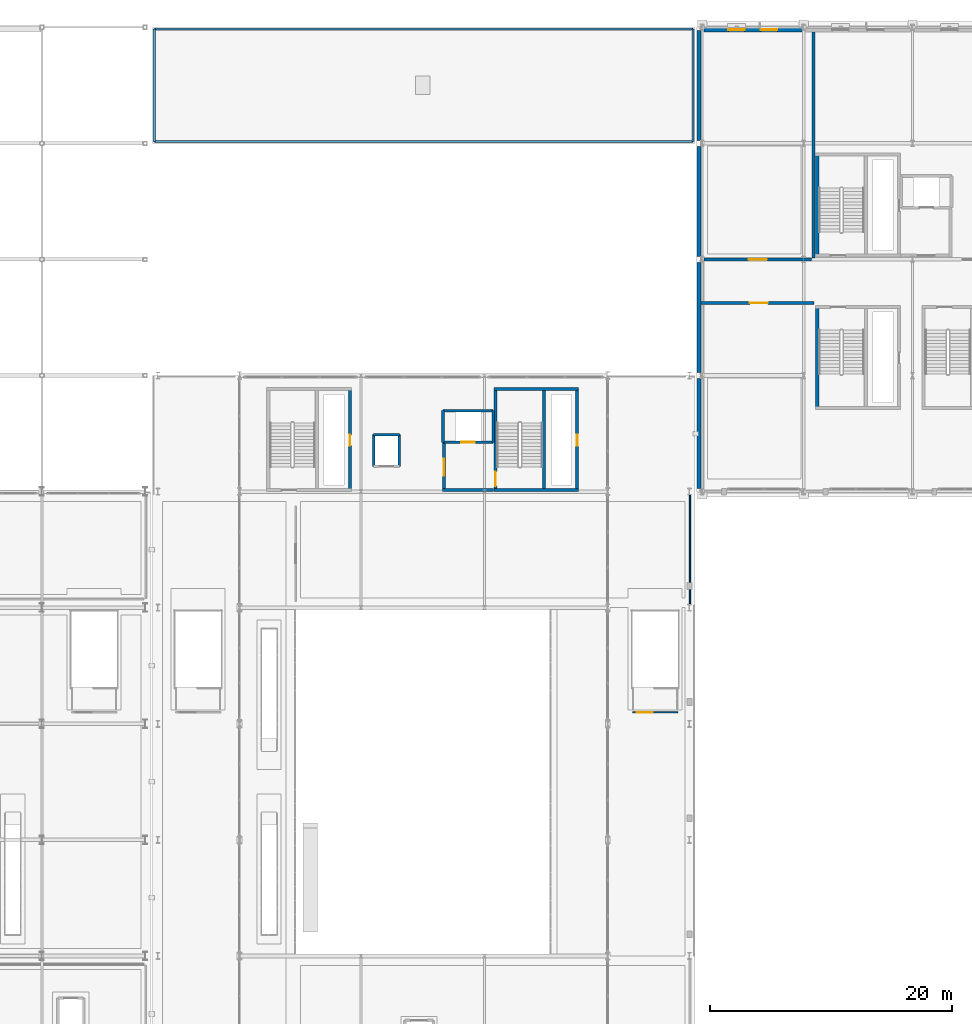
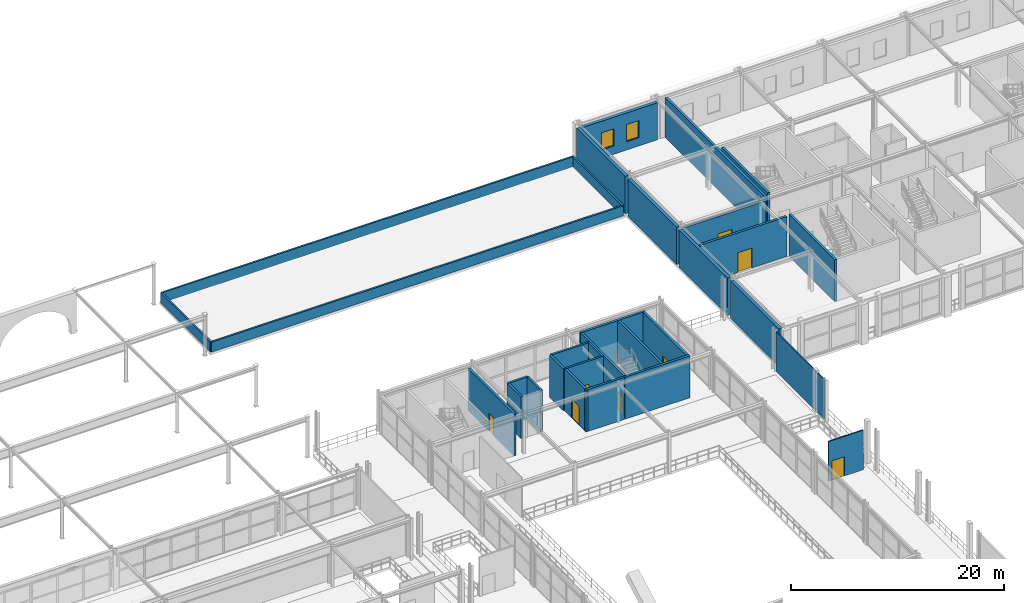
# One storey, part 77 of 125: 31 walls, 8 doors, 2 windows, 10 openings.
"""IFC4 building model written with IfcOpenShell, lengths in metres."""

from ifc_helpers import new_model, si_unit, direction, frame, frame_2d, origin, place, context, subcontext, project, spatial, rectangle, extrude, material, layer, layer_set, type_object, element, fill, save


model = new_model("IFC4")

# Units and contexts
model_context = context("Model", 3, precision=1e-05, world=origin(), true_north=direction((0.0, 1.0)))
body_context = subcontext(model_context, "Body", "Model", "MODEL_VIEW")
ifc_project = project(units=[si_unit("LENGTHUNIT", "METRE"), si_unit("AREAUNIT", "SQUARE_METRE"), si_unit("VOLUMEUNIT", "CUBIC_METRE"), si_unit("PLANEANGLEUNIT", "RADIAN"), si_unit("MASSUNIT", "GRAM", prefix="KILO")], contexts=[model_context])

# Site, building, storey
site_placement = place(None, origin())
site = spatial("IfcSite", under=ifc_project, at=site_placement, CompositionType="ELEMENT")
building_placement = place(site_placement, origin())
building = spatial("IfcBuilding", under=site, at=building_placement, Name="Myrtia Square Station", CompositionType="ELEMENT")
storey_placement = place(building_placement, frame((0.0, 0.0, 6.0)))
storey = spatial("IfcBuildingStorey", under=building, at=storey_placement, Name="L01", CompositionType="ELEMENT", Elevation=6.0)

# Wall, opening, door
ifc_material_1 = material(Name="Concrete C35/45", Category="concrete")
ifc_layer_1 = layer(ifc_material_1, 0.25, Name="Concrete C35/45")
ifc_layer_set_1 = layer_set([ifc_layer_1], Name="Concrete C35/45")
wall_type_1 = type_object("IfcWallType", Name="WL-CORE-250", PredefinedType="SHEAR", material=ifc_layer_set_1)
wall_1_placement = place(storey_placement, frame((88.47509765625, 86.39990234375, 0.0), z_axis=(0.0, 0.0, 1.0), x_axis=(0.0, 1.0, 0.0)))
wall_1 = element("IfcWall", 1, at=wall_1_placement, inside=storey, type_object=wall_type_1, Name="Core K2 shear wall L01 E", PredefinedType="SHEAR", context=body_context, shape_type="SweptSolid", body=[
    extrude(rectangle(XDim=8.60009765625, YDim=0.25, at=frame_2d((4.300048828125, 0.0))), origin(), (0.0, 0.0, 1.0), 4.800048828125),
])
opening_1_placement = place(wall_1_placement, frame((3.800048828125, 0.0, 0.0)))
opening_1 = element("IfcOpeningElement", 2, at=opening_1_placement, cuts=wall_1, Name="Opening RD-016", PredefinedType="OPENING", context=body_context, shape_type="SweptSolid", body=[
    extrude(rectangle(XDim=0.89990234375, YDim=2.050048828125, at=frame_2d((0.449951171875, 1.02490234375))), frame((0.0, 0.139892578125, 0.0), z_axis=(0.0, -1.0, 0.0), x_axis=(1.0, 0.0, 0.0)), (0.0, 0.0, 1.0), 0.280029296875),
])
ifc_material_2 = material(Name="Dark bronze anodised aluminium", Category="aluminium")
door_type_1 = type_object("IfcDoorType", Name="DR-RISER-900x2050", OperationType="NOTDEFINED", PredefinedType="DOOR", material=ifc_material_2)
door_1_placement = place(opening_1_placement, origin())
door_1 = element("IfcDoor", 3, at=door_1_placement, inside=storey, type_object=door_type_1, Name="Riser cupboard access door K2 L01", OperationType="SINGLE_SWING_RIGHT", OverallHeight=2.050048828125, OverallWidth=0.89990234375, PredefinedType="DOOR", context=body_context, shape_type="SweptSolid", body=[
    extrude(rectangle(XDim=0.89990234375, YDim=2.050048828125, at=frame_2d((0.449951171875, 1.02490234375))), frame((0.0, 0.02490234375, 0.0), z_axis=(0.0, -1.0, 0.0), x_axis=(1.0, 0.0, 0.0)), (0.0, 0.0, 1.0), 0.050048828125),
])
fill(opening_1, door_1)

# Walls
for number, where, z_axis, x_axis, name in (
    (4, (100.39990234375, 86.52490234375, 0.0), (0.0, 0.0, 1.0), (1.0, 0.0, 0.0), "Core K4 shear wall L01 S"),
    (5, (100.39990234375, 94.875, 0.0), (0.0, 0.0, 1.0), (1.0, 0.0, 0.0), "Core K4 shear wall L01 N"),
):
    element("IfcWall", number, at=place(storey_placement, frame(where, z_axis=z_axis, x_axis=x_axis)), inside=storey, type_object=wall_type_1, Name=name, PredefinedType="SHEAR", context=body_context, shape_type="SweptSolid", body=[
        extrude(rectangle(XDim=7.0, YDim=0.25, at=frame_2d((3.5, 0.0))), origin(), (0.0, 0.0, 1.0), 4.800048828125),
    ])

# Wall, opening, door
wall_2_placement = place(storey_placement, frame((100.52490234375, 86.39990234375, 0.0), z_axis=(0.0, 0.0, 1.0), x_axis=(0.0, 1.0, 0.0)))
wall_2 = element("IfcWall", 6, at=wall_2_placement, inside=storey, type_object=wall_type_1, Name="Core K4 shear wall L01 W", PredefinedType="SHEAR", context=body_context, shape_type="SweptSolid", body=[
    extrude(rectangle(XDim=8.60009765625, YDim=0.25, at=frame_2d((4.300048828125, 0.0))), origin(), (0.0, 0.0, 1.0), 4.800048828125),
])
opening_2_placement = place(wall_2_placement, frame((0.449951171875, 0.0, 0.0)))
opening_2 = element("IfcOpeningElement", 7, at=opening_2_placement, cuts=wall_2, Name="Opening SD-042", PredefinedType="OPENING", context=body_context, shape_type="SweptSolid", body=[
    extrude(rectangle(XDim=1.199951171875, YDim=2.14990234375, at=frame_2d((0.60009765625, 1.074951171875))), frame((0.0, 0.139892578125, 0.0), z_axis=(0.0, -1.0, 0.0), x_axis=(1.0, 0.0, 0.0)), (0.0, 0.0, 1.0), 0.280029296875),
])
door_type_2 = type_object("IfcDoorType", Name="DR-STAIR-1200x2150", OperationType="NOTDEFINED", PredefinedType="DOOR", material=ifc_material_2)
door_2_placement = place(opening_2_placement, frame((1.199951171875, 0.0, 0.0), z_axis=(0.0, 0.0, 1.0), x_axis=(-1.0, 0.0, 0.0)))
door_2 = element("IfcDoor", 8, at=door_2_placement, inside=storey, type_object=door_type_2, Name="Protected stair fire door K4 L01", OperationType="SINGLE_SWING_RIGHT", OverallHeight=2.14990234375, OverallWidth=1.199951171875, PredefinedType="DOOR", context=body_context, shape_type="SweptSolid", body=[
    extrude(rectangle(XDim=1.199951171875, YDim=2.14990234375, at=frame_2d((0.60009765625, 1.074951171875))), frame((0.0, 0.02490234375, 0.0), z_axis=(0.0, -1.0, 0.0), x_axis=(1.0, 0.0, 0.0)), (0.0, 0.0, 1.0), 0.050048828125),
])
fill(opening_2, door_2)

wall_3_placement = place(storey_placement, frame((107.27490234375, 86.39990234375, 0.0), z_axis=(0.0, 0.0, 1.0), x_axis=(0.0, 1.0, 0.0)))
wall_3 = element("IfcWall", 9, at=wall_3_placement, inside=storey, type_object=wall_type_1, Name="Core K4 shear wall L01 E", PredefinedType="SHEAR", context=body_context, shape_type="SweptSolid", body=[
    extrude(rectangle(XDim=8.60009765625, YDim=0.25, at=frame_2d((4.300048828125, 0.0))), origin(), (0.0, 0.0, 1.0), 4.800048828125),
])
opening_3_placement = place(wall_3_placement, frame((3.800048828125, 0.0, 0.0)))
opening_3 = element("IfcOpeningElement", 10, at=opening_3_placement, cuts=wall_3, Name="Opening RD-043", PredefinedType="OPENING", context=body_context, shape_type="SweptSolid", body=[
    extrude(rectangle(XDim=0.89990234375, YDim=2.050048828125, at=frame_2d((0.449951171875, 1.02490234375))), frame((0.0, 0.139892578125, 0.0), z_axis=(0.0, -1.0, 0.0), x_axis=(1.0, 0.0, 0.0)), (0.0, 0.0, 1.0), 0.280029296875),
])
door_3_placement = place(opening_3_placement, origin())
door_3 = element("IfcDoor", 11, at=door_3_placement, inside=storey, type_object=door_type_1, Name="Riser cupboard access door K4 L01", OperationType="SINGLE_SWING_LEFT", OverallHeight=2.050048828125, OverallWidth=0.89990234375, PredefinedType="DOOR", context=body_context, shape_type="SweptSolid", body=[
    extrude(rectangle(XDim=0.89990234375, YDim=2.050048828125, at=frame_2d((0.449951171875, 1.02490234375))), frame((0.0, 0.02490234375, 0.0), z_axis=(0.0, -1.0, 0.0), x_axis=(1.0, 0.0, 0.0)), (0.0, 0.0, 1.0), 0.050048828125),
])
fill(opening_3, door_3)

# Walls
wall_4_placement = place(storey_placement, frame((104.5400390625, 86.60009765625, 0.0), z_axis=(0.0, 0.0, 1.0), x_axis=(0.0, 1.0, 0.0)))
element("IfcWall", 12, at=wall_4_placement, inside=storey, type_object=wall_type_1, Name="Core K4 shear wall L01 D", PredefinedType="SHEAR", context=body_context, shape_type="SweptSolid", body=[
    extrude(rectangle(XDim=8.199951171875, YDim=0.25, at=frame_2d((4.10009765625, 0.0))), origin(), (0.0, 0.0, 1.0), 4.800048828125),
])
wall_5_placement = place(storey_placement, frame((127.125, 105.800048828125, 0.0), z_axis=(0.0, 0.0, 1.0), x_axis=(0.0, 1.0, 0.0)))
element("IfcWall", 13, at=wall_5_placement, inside=storey, type_object=wall_type_1, Name="Core K7 shear wall L01 W", PredefinedType="SHEAR", context=body_context, shape_type="SweptSolid", body=[
    extrude(rectangle(XDim=8.599853515625, YDim=0.25, at=frame_2d((4.2998046875, 0.0))), origin(), (0.0, 0.0, 1.0), 4.800048828125),
])
wall_6_placement = place(storey_placement, frame((127.125, 93.199951171875, 0.0), z_axis=(0.0, 0.0, 1.0), x_axis=(0.0, 1.0, 0.0)))
element("IfcWall", 14, at=wall_6_placement, inside=storey, type_object=wall_type_1, Name="Core K12 shear wall L01 W", PredefinedType="SHEAR", context=body_context, shape_type="SweptSolid", body=[
    extrude(rectangle(XDim=8.60009765625, YDim=0.25, at=frame_2d((4.300048828125, 0.0))), origin(), (0.0, 0.0, 1.0), 4.800048828125),
])
ifc_material_3 = material(Name="Cream lime stucco on clay brick masonry", Category="masonry")
ifc_layer_2 = layer(ifc_material_3, 0.340087890625, Name="Cream lime stucco on clay brick masonry")
ifc_layer_set_2 = layer_set([ifc_layer_2], Name="Cream lime stucco on clay brick masonry")
wall_type_2 = type_object("IfcWallType", Name="WL-EXT-STUCCO-340", PredefinedType="SOLIDWALL", material=ifc_layer_set_2)
for number, where, z_axis, x_axis, name in (
    (15, (117.35009765625, 86.655029296875, 0.0), (0.0, 0.0, 1.0), (0.0, 1.0, 0.0), "Exterior envelope wall EW-L01-0136"),
    (16, (117.35009765625, 96.2548828125, 0.0), (0.0, 0.0, 1.0), (0.0, 1.0, 0.0), "Exterior envelope wall EW-L01-0137"),
    (17, (117.35009765625, 105.85498046875, 0.0), (0.0, 0.0, 1.0), (0.0, 1.0, 0.0), "Exterior envelope wall EW-L01-0138"),
):
    element("IfcWall", number, at=place(storey_placement, frame(where, z_axis=z_axis, x_axis=x_axis)), inside=storey, type_object=wall_type_2, Name=name, PredefinedType="SOLIDWALL", context=body_context, shape_type="SweptSolid", body=[
        extrude(rectangle(XDim=9.090087890625, YDim=0.340087890625, at=frame_2d((4.544921875, 0.0))), origin(), (0.0, 0.0, 1.0), 4.280029296875),
    ])
wall_7_placement = place(storey_placement, frame((117.35009765625, 115.455078125, 0.0), z_axis=(0.0, 0.0, 1.0), x_axis=(0.0, 1.0, 0.0)))
element("IfcWall", 18, at=wall_7_placement, inside=storey, type_object=wall_type_2, Name="Exterior envelope wall EW-L01-0139", PredefinedType="SOLIDWALL", context=body_context, shape_type="SweptSolid", body=[
    extrude(rectangle(XDim=9.08984375, YDim=0.340087890625, at=frame_2d((4.544921875, 0.0))), origin(), (0.0, 0.0, 1.0), 4.280029296875),
])

# Wall, openings, windows
ifc_layer_3 = layer(ifc_material_3, 0.360107421875, Name="Cream lime stucco on clay brick masonry")
ifc_layer_set_3 = layer_set([ifc_layer_3], Name="Cream lime stucco on clay brick masonry")
wall_type_3 = type_object("IfcWallType", Name="WL-EXT-STUCCO-360", PredefinedType="SOLIDWALL", material=ifc_layer_set_3)
wall_8_placement = place(storey_placement, frame((117.7548828125, 124.60009765625, 0.0), z_axis=(0.0, 0.0, 1.0), x_axis=(1.0, 0.0, 0.0)))
wall_8 = element("IfcWall", 19, at=wall_8_placement, inside=storey, type_object=wall_type_3, Name="Exterior envelope wall EW-L01-0108", PredefinedType="SOLIDWALL", context=body_context, shape_type="SweptSolid", body=[
    extrude(rectangle(XDim=8.090087890625, YDim=0.360107421875, at=frame_2d((4.044921875, 0.0))), origin(), (0.0, 0.0, 1.0), 4.22998046875),
])
opening_4_placement = place(wall_8_placement, frame((2.02197265625, 0.0, 0.949951171875)))
opening_4 = element("IfcOpeningElement", 20, at=opening_4_placement, cuts=wall_8, Name="Opening WN-109", PredefinedType="OPENING", context=body_context, shape_type="SweptSolid", body=[
    extrude(rectangle(XDim=1.35009765625, YDim=1.949951171875, at=frame_2d((0.675048828125, 0.97509765625))), frame((0.0, 0.195068359375, 0.0), z_axis=(0.0, -1.0, 0.0), x_axis=(1.0, 0.0, 0.0)), (0.0, 0.0, 1.0), 0.39013671875),
])
opening_5_placement = place(wall_8_placement, frame((4.718017578125, 0.0, 0.949951171875)))
opening_5 = element("IfcOpeningElement", 21, at=opening_5_placement, cuts=wall_8, Name="Opening WN-110", PredefinedType="OPENING", context=body_context, shape_type="SweptSolid", body=[
    extrude(rectangle(XDim=1.35009765625, YDim=1.949951171875, at=frame_2d((0.675048828125, 0.97509765625))), frame((0.0, 0.195068359375, 0.0), z_axis=(0.0, -1.0, 0.0), x_axis=(1.0, 0.0, 0.0)), (0.0, 0.0, 1.0), 0.39013671875),
])
ifc_material_4 = material(Name="Tinted low-E solar control glass", Category="glass")
window_type = type_object("IfcWindowType", Name="WN-OPS-1350x1950", PartitioningType="SINGLE_PANEL", PredefinedType="WINDOW", material=ifc_material_4)
window_1_placement = place(opening_4_placement, origin())
window_1 = element("IfcWindow", 22, at=window_1_placement, inside=storey, type_object=window_type, Name="Window WN-109", OverallHeight=1.949951171875, OverallWidth=1.35009765625, PartitioningType="SINGLE_PANEL", PredefinedType="WINDOW", context=body_context, shape_type="SweptSolid", body=[
    extrude(rectangle(XDim=1.35009765625, YDim=1.949951171875, at=frame_2d((0.675048828125, 0.97509765625))), frame((0.0, 0.030029296875, 0.0), z_axis=(0.0, -1.0, 0.0), x_axis=(1.0, 0.0, 0.0)), (0.0, 0.0, 1.0), 0.06005859375),
])
fill(opening_4, window_1)
window_2_placement = place(opening_5_placement, origin())
window_2 = element("IfcWindow", 23, at=window_2_placement, inside=storey, type_object=window_type, Name="Window WN-110", OverallHeight=1.949951171875, OverallWidth=1.35009765625, PartitioningType="SINGLE_PANEL", PredefinedType="WINDOW", context=body_context, shape_type="SweptSolid", body=[
    extrude(rectangle(XDim=1.35009765625, YDim=1.949951171875, at=frame_2d((0.675048828125, 0.97509765625))), frame((0.0, 0.030029296875, 0.0), z_axis=(0.0, -1.0, 0.0), x_axis=(1.0, 0.0, 0.0)), (0.0, 0.0, 1.0), 0.06005859375),
])
fill(opening_5, window_2)

# Wall, opening, door
ifc_layer_4 = layer(ifc_material_1, 0.239990234375, Name="Concrete C35/45")
ifc_layer_set_4 = layer_set([ifc_layer_4], Name="Concrete C35/45")
wall_type_4 = type_object("IfcWallType", Name="WL-FFL-240", PredefinedType="SHEAR", material=ifc_layer_set_4)
wall_9_placement = place(storey_placement, frame((96.27001953125, 86.39990234375, 0.0), z_axis=(0.0, 0.0, 1.0), x_axis=(0.0, 1.0, 0.0)))
wall_9 = element("IfcWall", 24, at=wall_9_placement, inside=storey, type_object=wall_type_4, Name="Firefighting lift lobby EI 120 wall K4 L01 W", PredefinedType="SHEAR", context=body_context, shape_type="SweptSolid", body=[
    extrude(rectangle(XDim=4.0, YDim=0.239990234375, at=frame_2d((2.0, 0.0))), origin(), (0.0, 0.0, 1.0), 4.800048828125),
])
opening_6_placement = place(wall_9_placement, frame((1.300048828125, 0.0, 0.0)))
opening_6 = element("IfcOpeningElement", 25, at=opening_6_placement, cuts=wall_9, Name="Opening FD-044", PredefinedType="OPENING", context=body_context, shape_type="SweptSolid", body=[
    extrude(rectangle(XDim=1.39990234375, YDim=2.199951171875, at=frame_2d((0.699951171875, 1.10009765625))), frame((0.0, 0.135009765625, 0.0), z_axis=(0.0, -1.0, 0.0), x_axis=(1.0, 0.0, 0.0)), (0.0, 0.0, 1.0), 0.27001953125),
])
door_type_3 = type_object("IfcDoorType", Name="DR-FFL-1400x2200", OperationType="NOTDEFINED", PredefinedType="DOOR", material=ifc_material_2)
door_4_placement = place(opening_6_placement, origin())
door_4 = element("IfcDoor", 26, at=door_4_placement, inside=storey, type_object=door_type_3, Name="Firefighting lobby fire door K4 L01", OperationType="SINGLE_SWING_RIGHT", OverallHeight=2.199951171875, OverallWidth=1.39990234375, PredefinedType="DOOR", context=body_context, shape_type="SweptSolid", body=[
    extrude(rectangle(XDim=1.39990234375, YDim=2.199951171875, at=frame_2d((0.699951171875, 1.10009765625))), frame((0.0, 0.02490234375, 0.0), z_axis=(0.0, -1.0, 0.0), x_axis=(1.0, 0.0, 0.0)), (0.0, 0.0, 1.0), 0.050048828125),
])
fill(opening_6, door_4)

# Walls
wall_10_placement = place(storey_placement, frame((96.14990234375, 86.52001953125, 0.0), z_axis=(0.0, 0.0, 1.0), x_axis=(1.0, 0.0, 0.0)))
element("IfcWall", 27, at=wall_10_placement, inside=storey, type_object=wall_type_4, Name="Firefighting lift lobby EI 120 wall K4 L01 S", PredefinedType="SHEAR", context=body_context, shape_type="SweptSolid", body=[
    extrude(rectangle(XDim=4.2001953125, YDim=0.239990234375, at=frame_2d((2.10009765625, 0.0))), origin(), (0.0, 0.0, 1.0), 4.800048828125),
])
ifc_layer_5 = layer(ifc_material_1, 0.219970703125, Name="Concrete C35/45")
ifc_layer_set_5 = layer_set([ifc_layer_5], Name="Concrete C35/45")
wall_type_5 = type_object("IfcWallType", Name="WL-LIFT-220", PredefinedType="SHEAR", material=ifc_layer_set_5)
wall_11_placement = place(storey_placement, frame((90.43994140625, 91.110107421875, 0.0), z_axis=(0.0, 0.0, 1.0), x_axis=(1.0, 0.0, 0.0)))
element("IfcWall", 28, at=wall_11_placement, inside=storey, type_object=wall_type_5, Name="Lift shaft wall PL-06 L01 +Y", PredefinedType="SHEAR", context=body_context, shape_type="SweptSolid", body=[
    extrude(rectangle(XDim=2.1201171875, YDim=0.219970703125, at=frame_2d((1.06005859375, 0.0))), origin(), (0.0, 0.0, 1.0), 4.800048828125),
])
for number, where, z_axis, x_axis, name in (
    (29, (90.43994140625, 88.489990234375, 0.0), (0.0, 0.0, 1.0), (0.0, 1.0, 0.0), "Lift shaft wall PL-06 L01 -X"),
    (30, (92.56005859375, 88.489990234375, 0.0), (0.0, 0.0, 1.0), (0.0, 1.0, 0.0), "Lift shaft wall PL-06 L01 +X"),
):
    element("IfcWall", number, at=place(storey_placement, frame(where, z_axis=z_axis, x_axis=x_axis)), inside=storey, type_object=wall_type_5, Name=name, PredefinedType="SHEAR", context=body_context, shape_type="SweptSolid", body=[
        extrude(rectangle(XDim=2.6201171875, YDim=0.219970703125, at=frame_2d((1.31005859375, 0.0))), origin(), (0.0, 0.0, 1.0), 4.800048828125),
    ])

# Wall, opening, door
wall_12_placement = place(storey_placement, frame((96.169921875, 90.47998046875, 0.0), z_axis=(0.0, 0.0, 1.0), x_axis=(1.0, 0.0, 0.0)))
wall_12 = element("IfcWall", 31, at=wall_12_placement, inside=storey, type_object=wall_type_5, Name="Lift shaft wall FFL-02 L01 -Y", PredefinedType="SHEAR", context=body_context, shape_type="SweptSolid", body=[
    extrude(rectangle(XDim=4.16015625, YDim=0.219970703125, at=frame_2d((2.080078125, 0.0))), origin(), (0.0, 0.0, 1.0), 4.800048828125),
])
opening_7_placement = place(wall_12_placement, frame((1.530029296875, 0.0, 0.0)))
opening_7 = element("IfcOpeningElement", 32, at=opening_7_placement, cuts=wall_12, Name="Opening LD-FFL-02", PredefinedType="OPENING", context=body_context, shape_type="SweptSolid", body=[
    extrude(rectangle(XDim=1.10009765625, YDim=2.14990234375, at=frame_2d((0.550048828125, 1.074951171875))), frame((0.0, 0.125, 0.0), z_axis=(0.0, -1.0, 0.0), x_axis=(1.0, 0.0, 0.0)), (0.0, 0.0, 1.0), 0.25),
])
door_type_4 = type_object("IfcDoorType", Name="DR-LIFT-1100x2150", OperationType="NOTDEFINED", PredefinedType="DOOR", material=ifc_material_2)
door_5_placement = place(opening_7_placement, origin())
door_5 = element("IfcDoor", 33, at=door_5_placement, inside=storey, type_object=door_type_4, Name="Lift landing door FFL-02 L01", OperationType="SLIDING_TO_LEFT", OverallHeight=2.14990234375, OverallWidth=1.10009765625, PredefinedType="DOOR", context=body_context, shape_type="SweptSolid", body=[
    extrude(rectangle(XDim=1.10009765625, YDim=2.14990234375, at=frame_2d((0.550048828125, 1.074951171875))), frame((0.0, 0.02490234375, 0.0), z_axis=(0.0, -1.0, 0.0), x_axis=(1.0, 0.0, 0.0)), (0.0, 0.0, 1.0), 0.050048828125),
])
fill(opening_7, door_5)

# Walls
wall_13_placement = place(storey_placement, frame((96.169921875, 93.10009765625, 0.0), z_axis=(0.0, 0.0, 1.0), x_axis=(1.0, 0.0, 0.0)))
element("IfcWall", 34, at=wall_13_placement, inside=storey, type_object=wall_type_5, Name="Lift shaft wall FFL-02 L01 +Y", PredefinedType="SHEAR", context=body_context, shape_type="SweptSolid", body=[
    extrude(rectangle(XDim=4.16015625, YDim=0.219970703125, at=frame_2d((2.080078125, 0.0))), origin(), (0.0, 0.0, 1.0), 4.800048828125),
])
for number, where, z_axis, x_axis, name in (
    (35, (96.169921875, 90.47998046875, 0.0), (0.0, 0.0, 1.0), (0.0, 1.0, 0.0), "Lift shaft wall FFL-02 L01 -X"),
    (36, (100.330078125, 90.47998046875, 0.0), (0.0, 0.0, 1.0), (0.0, 1.0, 0.0), "Lift shaft wall FFL-02 L01 +X"),
):
    element("IfcWall", number, at=place(storey_placement, frame(where, z_axis=z_axis, x_axis=x_axis)), inside=storey, type_object=wall_type_5, Name=name, PredefinedType="SHEAR", context=body_context, shape_type="SweptSolid", body=[
        extrude(rectangle(XDim=2.6201171875, YDim=0.219970703125, at=frame_2d((1.31005859375, 0.0))), origin(), (0.0, 0.0, 1.0), 4.800048828125),
    ])
ifc_material_5 = material(Name="Precast concrete C40/50", Category="concrete")
ifc_layer_6 = layer(ifc_material_5, 0.18994140625, Name="Precast concrete C40/50")
ifc_layer_set_6 = layer_set([ifc_layer_6], Name="Precast concrete C40/50")
wall_type_6 = type_object("IfcWallType", Name="WL-PAR-RC-190", PredefinedType="PARAPET", material=ifc_layer_set_6)
wall_14_placement = place(storey_placement, frame((72.300048828125, 115.35009765625, 0.0), z_axis=(0.0, 0.0, 1.0), x_axis=(1.0, 0.0, 0.0)))
element("IfcWall", 37, at=wall_14_placement, inside=storey, type_object=wall_type_6, Name="Spanish Mission roof parapet 005", PredefinedType="PARAPET", context=body_context, shape_type="SweptSolid", body=[
    extrude(rectangle(XDim=44.550048828125, YDim=0.18994140625, at=frame_2d((22.27490234375, 0.0))), origin(), (0.0, 0.0, 1.0), 1.14990234375),
])
wall_15_placement = place(storey_placement, frame((116.85009765625, 115.35009765625, 0.0), z_axis=(0.0, 0.0, 1.0), x_axis=(0.0, 1.0, 0.0)))
element("IfcWall", 38, at=wall_15_placement, inside=storey, type_object=wall_type_6, Name="Spanish Mission roof parapet 006", PredefinedType="PARAPET", context=body_context, shape_type="SweptSolid", body=[
    extrude(rectangle(XDim=9.2998046875, YDim=0.18994140625, at=frame_2d((4.64990234375, 0.0))), origin(), (0.0, 0.0, 1.0), 1.14990234375),
])
wall_16_placement = place(storey_placement, frame((116.85009765625, 124.64990234375, 0.0), z_axis=(0.0, 0.0, 1.0), x_axis=(-1.0, 0.0, 0.0)))
element("IfcWall", 39, at=wall_16_placement, inside=storey, type_object=wall_type_6, Name="Spanish Mission roof parapet 007", PredefinedType="PARAPET", context=body_context, shape_type="SweptSolid", body=[
    extrude(rectangle(XDim=44.550048828125, YDim=0.18994140625, at=frame_2d((22.27490234375, 0.0))), origin(), (0.0, 0.0, 1.0), 1.14990234375),
])
wall_17_placement = place(storey_placement, frame((72.300048828125, 124.64990234375, 0.0), z_axis=(0.0, 0.0, 1.0), x_axis=(0.0, -1.0, 0.0)))
element("IfcWall", 40, at=wall_17_placement, inside=storey, type_object=wall_type_6, Name="Spanish Mission roof parapet 008", PredefinedType="PARAPET", context=body_context, shape_type="SweptSolid", body=[
    extrude(rectangle(XDim=9.2998046875, YDim=0.18994140625, at=frame_2d((4.64990234375, 0.0))), origin(), (0.0, 0.0, 1.0), 1.14990234375),
])
ifc_material_6 = material(Name="Gypsum plasterboard")
ifc_layer_7 = layer(ifc_material_6, 0.10009765625, Name="Gypsum plasterboard")
ifc_layer_set_7 = layer_set([ifc_layer_7], Name="Gypsum plasterboard")
wall_type_7 = type_object("IfcWallType", Name="WL-PART-100", PredefinedType="PARTITIONING", material=ifc_layer_set_7)
wall_18_placement = place(storey_placement, frame((116.60009765625, 77.074951171875, 0.0), z_axis=(0.0, 0.0, 1.0), x_axis=(0.0, 1.0, 0.0)))
element("IfcWall", 41, at=wall_18_placement, inside=storey, type_object=wall_type_7, Name="Room divider partition L01-07", PredefinedType="PARTITIONING", context=body_context, shape_type="SweptSolid", body=[
    extrude(rectangle(XDim=9.050048828125, YDim=0.10009765625, at=frame_2d((4.52490234375, 0.0))), origin(), (0.0, 0.0, 1.0), 4.530029296875),
])

# Wall, opening, door
ifc_layer_8 = layer(ifc_material_6, 0.14990234375, Name="Gypsum plasterboard")
ifc_layer_set_8 = layer_set([ifc_layer_8], Name="Gypsum plasterboard")
wall_type_8 = type_object("IfcWallType", Name="WL-PART-150", PredefinedType="PARTITIONING", material=ifc_layer_set_8)
wall_19_placement = place(storey_placement, frame((111.840087890625, 68.14990234375, 0.0), z_axis=(0.0, 0.0, 1.0), x_axis=(1.0, 0.0, 0.0)))
wall_19 = element("IfcWall", 42, at=wall_19_placement, inside=storey, type_object=wall_type_8, Name="Interchange stair smoke vestibule wall 06 L01", PredefinedType="PARTITIONING", context=body_context, shape_type="SweptSolid", body=[
    extrude(rectangle(XDim=3.760009765625, YDim=0.14990234375, at=frame_2d((1.8798828125, 0.0))), origin(), (0.0, 0.0, 1.0), 4.530029296875),
])
opening_8_placement = place(wall_19_placement, frame((0.35009765625, 0.0, 0.0)))
opening_8 = element("IfcOpeningElement", 43, at=opening_8_placement, cuts=wall_19, Name="Opening SD-194", PredefinedType="OPENING", context=body_context, shape_type="SweptSolid", body=[
    extrude(rectangle(XDim=1.35009765625, YDim=2.199951171875, at=frame_2d((0.675048828125, 1.10009765625))), frame((0.0, 0.08984375, 0.0), z_axis=(0.0, -1.0, 0.0), x_axis=(1.0, 0.0, 0.0)), (0.0, 0.0, 1.0), 0.179931640625),
])
door_type_5 = type_object("IfcDoorType", Name="DR-STAIR-1350x2200", OperationType="NOTDEFINED", PredefinedType="DOOR", material=ifc_material_2)
door_6_placement = place(opening_8_placement, frame((1.35009765625, 0.0, 0.0), z_axis=(0.0, 0.0, 1.0), x_axis=(-1.0, 0.0, 0.0)))
door_6 = element("IfcDoor", 44, at=door_6_placement, inside=storey, type_object=door_type_5, Name="Interchange stair fire door 06 L01", OperationType="SINGLE_SWING_RIGHT", OverallHeight=2.199951171875, OverallWidth=1.35009765625, PredefinedType="DOOR", context=body_context, shape_type="SweptSolid", body=[
    extrude(rectangle(XDim=1.35009765625, YDim=2.199951171875, at=frame_2d((0.675048828125, 1.10009765625))), frame((0.0, 0.02490234375, 0.0), z_axis=(0.0, -1.0, 0.0), x_axis=(1.0, 0.0, 0.0)), (0.0, 0.0, 1.0), 0.050048828125),
])
fill(opening_8, door_6)

ifc_layer_9 = layer(ifc_material_3, 0.260009765625, Name="Cream lime stucco on clay brick masonry")
ifc_layer_set_9 = layer_set([ifc_layer_9], Name="Cream lime stucco on clay brick masonry")
wall_type_9 = type_object("IfcWallType", Name="WL-PART-260", PredefinedType="PARTITIONING", material=ifc_layer_set_9)
wall_20_placement = place(storey_placement, frame((117.52490234375, 102.0, 0.0), z_axis=(0.0, 0.0, 1.0), x_axis=(1.0, 0.0, 0.0)))
wall_20 = element("IfcWall", 45, at=wall_20_placement, inside=storey, type_object=wall_type_9, Name="Interior partition wall L01-15", PredefinedType="PARTITIONING", context=body_context, shape_type="SweptSolid", body=[
    extrude(rectangle(XDim=9.315185546875, YDim=0.260009765625, at=frame_2d((4.65771484375, 0.0))), origin(), (0.0, 0.0, 1.0), 4.530029296875),
])
opening_9_placement = place(wall_20_placement, frame((4.02001953125, 0.0, 0.0)))
opening_9 = element("IfcOpeningElement", 46, at=opening_9_placement, cuts=wall_20, Name="Opening D-247", PredefinedType="OPENING", context=body_context, shape_type="SweptSolid", body=[
    extrude(rectangle(XDim=1.5, YDim=2.25, at=frame_2d((0.75, 1.125))), frame((0.0, 0.14501953125, 0.0), z_axis=(0.0, -1.0, 0.0), x_axis=(1.0, 0.0, 0.0)), (0.0, 0.0, 1.0), 0.2900390625),
])
door_type_6 = type_object("IfcDoorType", Name="DR-PLANT-1500x2250", OperationType="NOTDEFINED", PredefinedType="DOOR", material=ifc_material_2)
door_7_placement = place(opening_9_placement, origin())
door_7 = element("IfcDoor", 47, at=door_7_placement, inside=storey, type_object=door_type_6, Name="Signalling Interlocking Equipment Suite door D-247", OperationType="SINGLE_SWING_LEFT", OverallHeight=2.25, OverallWidth=1.5, PredefinedType="DOOR", context=body_context, shape_type="SweptSolid", body=[
    extrude(rectangle(XDim=1.5, YDim=2.25, at=frame_2d((0.75, 1.125))), frame((0.0, 0.02490234375, 0.0), z_axis=(0.0, -1.0, 0.0), x_axis=(1.0, 0.0, 0.0)), (0.0, 0.0, 1.0), 0.050048828125),
])
fill(opening_9, door_7)

wall_21_placement = place(storey_placement, frame((117.75, 105.60009765625, 0.0), z_axis=(0.0, 0.0, 1.0), x_axis=(1.0, 0.0, 0.0)))
wall_21 = element("IfcWall", 48, at=wall_21_placement, inside=storey, type_object=wall_type_9, Name="Interior partition wall L01-19", PredefinedType="PARTITIONING", context=body_context, shape_type="SweptSolid", body=[
    extrude(rectangle(XDim=8.89990234375, YDim=0.260009765625, at=frame_2d((4.449951171875, 0.0))), origin(), (0.0, 0.0, 1.0), 4.22998046875),
])
opening_10_placement = place(wall_21_placement, frame((3.699951171875, 0.0, 0.0)))
opening_10 = element("IfcOpeningElement", 49, at=opening_10_placement, cuts=wall_21, Name="Opening D-251", PredefinedType="OPENING", context=body_context, shape_type="SweptSolid", body=[
    extrude(rectangle(XDim=1.5, YDim=2.25, at=frame_2d((0.75, 1.125))), frame((0.0, 0.14501953125, 0.0), z_axis=(0.0, -1.0, 0.0), x_axis=(1.0, 0.0, 0.0)), (0.0, 0.0, 1.0), 0.2900390625),
])
door_8_placement = place(opening_10_placement, frame((1.5, 0.0, 0.0), z_axis=(0.0, 0.0, 1.0), x_axis=(-1.0, 0.0, 0.0)))
door_8 = element("IfcDoor", 50, at=door_8_placement, inside=storey, type_object=door_type_6, Name="UPS Battery and Technical Store door D-251", OperationType="SINGLE_SWING_LEFT", OverallHeight=2.25, OverallWidth=1.5, PredefinedType="DOOR", context=body_context, shape_type="SweptSolid", body=[
    extrude(rectangle(XDim=1.5, YDim=2.25, at=frame_2d((0.75, 1.125))), frame((0.0, 0.02490234375, 0.0), z_axis=(0.0, -1.0, 0.0), x_axis=(1.0, 0.0, 0.0)), (0.0, 0.0, 1.0), 0.050048828125),
])
fill(opening_10, door_8)

# Wall
wall_22_placement = place(storey_placement, frame((126.800048828125, 105.735107421875, 0.0), z_axis=(0.0, 0.0, 1.0), x_axis=(0.0, 1.0, 0.0)))
element("IfcWall", 51, at=wall_22_placement, inside=storey, type_object=wall_type_9, Name="Room divider partition L01-19", PredefinedType="PARTITIONING", context=body_context, shape_type="SweptSolid", body=[
    extrude(rectangle(XDim=18.679931640625, YDim=0.260009765625, at=frame_2d((9.33984375, 0.0))), origin(), (0.0, 0.0, 1.0), 4.530029296875),
])

save(model, "model.ifc")
